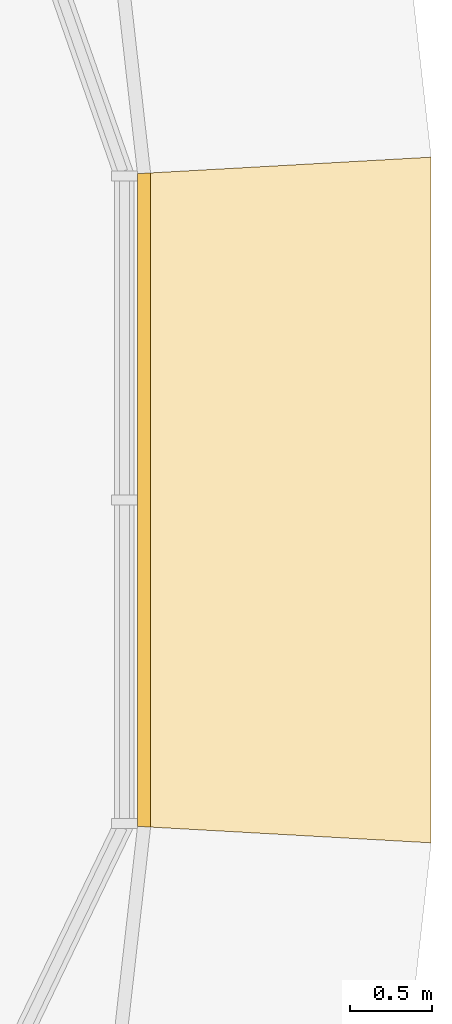
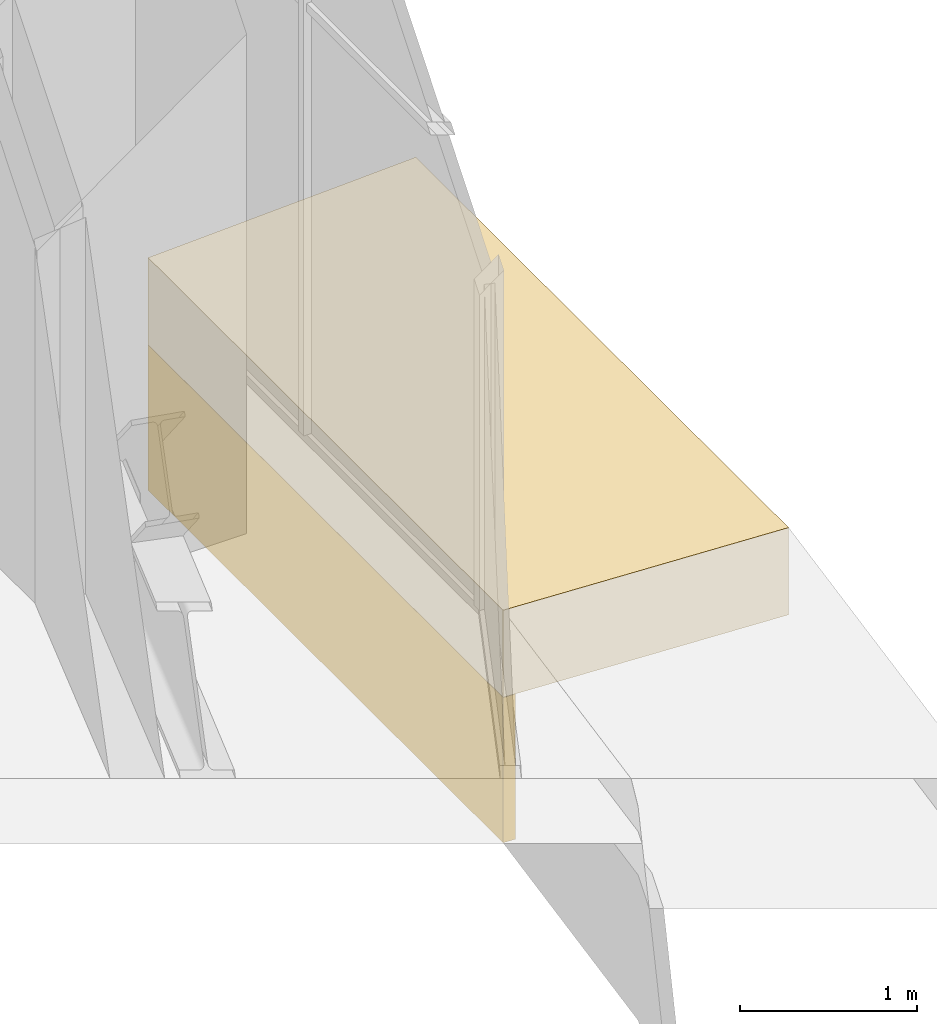
# One storey, part 34 of 35: 2 coverings.
"""IFC4 building model written with IfcOpenShell, lengths in metres."""

from ifc_helpers import new_model, si_unit, direction, frame, origin, place, context, subcontext, project, spatial, polyline, outline, extrude, material, layer, layer_set, type_object, element, save


model = new_model("IFC4")

# Units and contexts
model_context = context("Model", 3, precision=1e-05, world=origin(), true_north=direction((0.0, 1.0)))
body_context = subcontext(model_context, "Body", "Model", "MODEL_VIEW")
ifc_project = project(units=[si_unit("LENGTHUNIT", "METRE"), si_unit("AREAUNIT", "SQUARE_METRE"), si_unit("VOLUMEUNIT", "CUBIC_METRE"), si_unit("PLANEANGLEUNIT", "RADIAN"), si_unit("MASSUNIT", "GRAM", prefix="KILO")], contexts=[model_context])

# Site, building, storey
site_placement = place(None, origin())
site = spatial("IfcSite", under=ifc_project, at=site_placement, CompositionType="ELEMENT")
building_placement = place(site_placement, origin())
building = spatial("IfcBuilding", under=site, at=building_placement, Name="Ogive Portal Towers", CompositionType="ELEMENT")
storey_placement = place(building_placement, frame((0.0, 0.0, 135.199951171875)))
storey = spatial("IfcBuildingStorey", under=building, at=storey_placement, Name="L33", CompositionType="ELEMENT", Elevation=135.199951171875)

# Coverings
ifc_material = material(Name="Limestone cladding on lightweight block wall", Category="masonry")
ifc_layer_1 = layer(ifc_material, 0.080078125)
ifc_layer_set_1 = layer_set([ifc_layer_1], Name="STONE SPANDREL 80")
covering_type_1 = type_object("IfcCoveringType", Name="STONE SPANDREL 80", PredefinedType="CLADDING", material=ifc_layer_set_1)
covering_1_placement = place(storey_placement, frame((0.0, 0.0, -1.599853515625)))
element("IfcCovering", 1, at=covering_1_placement, inside=storey, type_object=covering_type_1, Name="Stone spandrel A1-F07", PredefinedType="CLADDING", context=body_context, shape_type="SweptSolid", body=[
    extrude(outline(polyline([(96.0, 28.5), (96.0, 32.5), (96.080078125, 32.50439453125), (96.080078125, 28.49560546875), (96.0, 28.5)])), origin(), (0.0, 0.0, 1.0), 1.0),
])
ifc_layer_2 = layer(ifc_material, 0.60009765625)
ifc_layer_set_2 = layer_set([ifc_layer_2], Name="SUNSHADE LIP 600")
covering_type_2 = type_object("IfcCoveringType", Name="SUNSHADE LIP 600", PredefinedType="CLADDING", material=ifc_layer_set_2)
covering_2_placement = place(storey_placement, frame((0.0, 0.0, -0.599853515625)))
element("IfcCovering", 2, at=covering_2_placement, inside=storey, type_object=covering_type_2, Name="Sunshade lip A1-F07", PredefinedType="CLADDING", context=body_context, shape_type="SweptSolid", body=[
    extrude(outline(polyline([(96.0, 28.5), (96.0, 32.5), (97.800048828125, 32.60107421875), (97.800048828125, 28.39892578125), (96.0, 28.5)])), origin(), (0.0, 0.0, 1.0), 0.599853515625),
])

save(model, "model.ifc")
